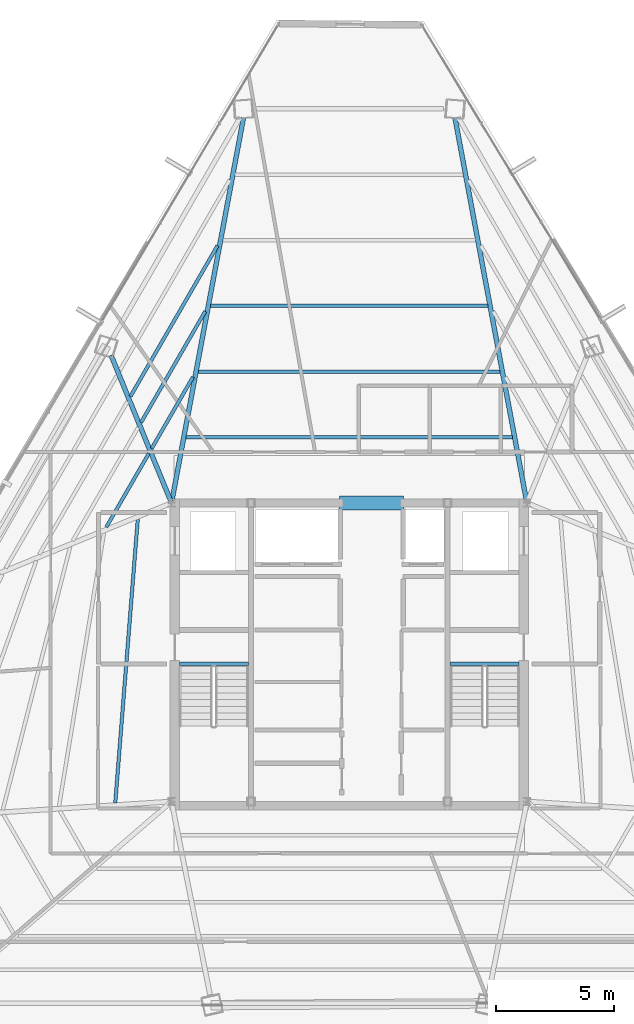
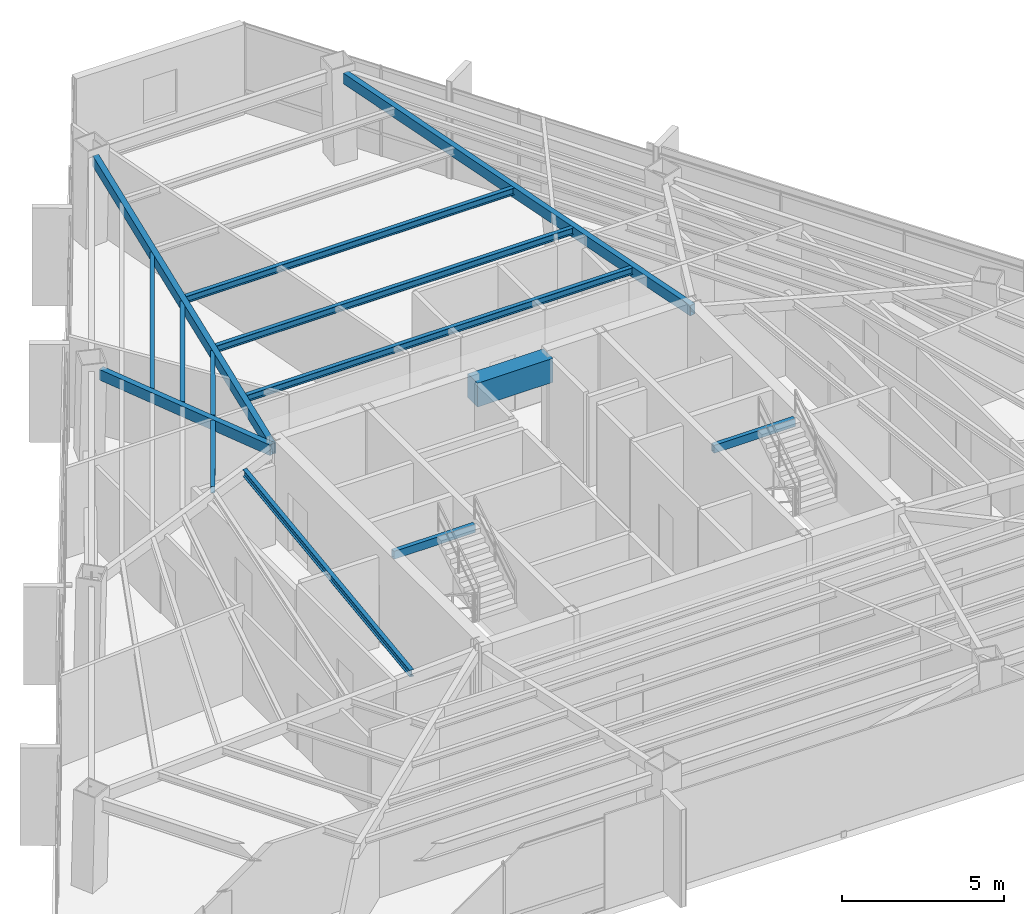
# One storey, part 21 of 47: 14 beams.
"""IFC4 building model written with IfcOpenShell, lengths in metres."""

from ifc_helpers import new_model, si_unit, direction, frame, origin, origin_2d, place, context, subcontext, project, spatial, rectangle, hollow_rectangle, i_section, extrude, source, transform, mapped, material, material_profile, profile_set, type_object, type_shapes, element, save


model = new_model("IFC4")

# Units and contexts
model_context = context("Model", 3, precision=1e-05, world=origin(), true_north=direction((0.0, 1.0)))
body_context = subcontext(model_context, "Body", "Model", "MODEL_VIEW")
ifc_project = project(units=[si_unit("LENGTHUNIT", "METRE"), si_unit("AREAUNIT", "SQUARE_METRE"), si_unit("VOLUMEUNIT", "CUBIC_METRE"), si_unit("PLANEANGLEUNIT", "RADIAN"), si_unit("MASSUNIT", "GRAM", prefix="KILO")], contexts=[model_context])

# Site, building, storey
site_placement = place(None, origin())
site = spatial("IfcSite", under=ifc_project, at=site_placement, CompositionType="ELEMENT")
building_placement = place(site_placement, origin())
building = spatial("IfcBuilding", under=site, at=building_placement, Name="Caelisora Broadcast Tower", CompositionType="ELEMENT")
storey_placement = place(building_placement, frame((0.0, 0.0, 229.85009765625)))
storey = spatial("IfcBuildingStorey", under=building, at=storey_placement, Name="L60", CompositionType="ELEMENT", Elevation=229.85009765625)

# Beams
ifc_material_1 = material(Name="Steel Grade 350 (AS/NZS 1163 C350L0)", Category="steel")
ifc_material_profile_1 = material_profile(ifc_material_1, hollow_rectangle(XDim=0.14990234375, YDim=0.300048828125, WallThickness=0.010009765625, at=origin_2d()), Name="Steel Grade 350 (AS/NZS 1163 C350L0)")
ifc_profile_set_1 = profile_set([ifc_material_profile_1], Name="Steel Grade 350 (AS/NZS 1163 C350L0)")
beam_type_1 = type_object("IfcBeamType", Name="SB05", PredefinedType="JOIST", material=ifc_profile_set_1)
shared_shape_1 = source(origin(), body_context, "Body", "SweptSolid", [
    extrude(hollow_rectangle(XDim=0.14990234375, YDim=0.300048828125, WallThickness=0.010009765625, at=origin_2d()), origin(), (0.0, 0.0, 1.0), 2.89990234375),
])
type_shapes(beam_type_1, [shared_shape_1])
for number, where, z_axis, x_axis, name in (
    (1, (30.840087890625, 23.219970703125, 3.25), (1.0, 0.0, 0.0), (0.0, 1.0, 0.0), "L60 beam SB05"),
    (2, (42.260009765625, 23.219970703125, 3.25), (1.0, 0.0, 0.0), (0.0, 1.0, 0.0), "L60 beam SB05"),
):
    element("IfcBeam", number, at=place(storey_placement, frame(where, z_axis=z_axis, x_axis=x_axis)), inside=storey, type_object=beam_type_1, Name=name, PredefinedType="JOIST", context=body_context, shape_type="MappedRepresentation", body=[
        mapped(shared_shape_1, transform((0.0, 0.0, 0.0), scale=1.0)),
    ])
ifc_material_2 = material(Name="Concrete 50 MPa (AS 3600 S50)", Category="concrete")
ifc_material_profile_2 = material_profile(ifc_material_2, rectangle(XDim=0.60009765625, YDim=0.89990234375, at=origin_2d()), Name="Concrete 50 MPa (AS 3600 S50)")
ifc_profile_set_2 = profile_set([ifc_material_profile_2], Name="Concrete 50 MPa (AS 3600 S50)")
beam_type_2 = type_object("IfcBeamType", Name="CB02", PredefinedType="LINTEL", material=ifc_profile_set_2)
shared_shape_2 = source(origin(), body_context, "Body", "SweptSolid", [
    extrude(rectangle(XDim=0.60009765625, YDim=0.89990234375, at=origin_2d()), origin(), (0.0, 0.0, 1.0), 2.699951171875),
])
type_shapes(beam_type_2, [shared_shape_2])
beam_1_placement = place(storey_placement, frame((37.60009765625, 30.0, 2.949951171875), z_axis=(1.0, 0.0, 0.0), x_axis=(0.0, 1.0, 0.0)))
element("IfcBeam", 3, at=beam_1_placement, inside=storey, type_object=beam_type_2, Name="L60 beam CB02", PredefinedType="LINTEL", context=body_context, shape_type="MappedRepresentation", body=[
    mapped(shared_shape_2, transform((0.0, 0.0, 0.0), scale=1.0)),
])
ifc_material_profile_3 = material_profile(ifc_material_1, hollow_rectangle(XDim=0.199951171875, YDim=0.39990234375, WallThickness=0.012451171875, at=origin_2d()), Name="Steel Grade 350 (AS/NZS 1163 C350L0)")
ifc_profile_set_3 = profile_set([ifc_material_profile_3], Name="Steel Grade 350 (AS/NZS 1163 C350L0)")
beam_type_3 = type_object("IfcBeamType", Name="PG07", PredefinedType="BEAM", material=ifc_profile_set_3)
shared_shape_3 = source(origin(), body_context, "Body", "SweptSolid", [
    extrude(hollow_rectangle(XDim=0.199951171875, YDim=0.39990234375, WallThickness=0.012451171875, at=origin_2d()), origin(), (0.0, 0.0, 1.0), 16.486083984375),
])
for number, where, z_axis, x_axis, name in (
    (4, (45.489013671875, 30.05908203125, 3.199951171875), (-0.183615218966, 0.982998194995, 0.0), (-0.982998194995, -0.183615218966, 0.0), "L60 beam PG07"),
    (5, (30.510986328125, 30.05908203125, 3.199951171875), (0.183615218966, 0.982998194995, 0.0), (-0.982998194995, 0.183615218966, 0.0), "L60 beam PG07"),
):
    element("IfcBeam", number, at=place(storey_placement, frame(where, z_axis=z_axis, x_axis=x_axis)), inside=storey, type_object=beam_type_3, Name=name, PredefinedType="BEAM", context=body_context, shape_type="MappedRepresentation", body=[
        mapped(shared_shape_3, transform((0.0, 0.0, 0.0), scale=1.0)),
    ])
shared_shape_4 = source(origin(), body_context, "Body", "SweptSolid", [
    extrude(hollow_rectangle(XDim=0.199951171875, YDim=0.39990234375, WallThickness=0.012451171875, at=origin_2d()), origin(), (0.0, 0.0, 1.0), 6.679443359375),
])
type_shapes(beam_type_3, [shared_shape_3, shared_shape_4])
beam_2_placement = place(storey_placement, frame((30.477294921875, 30.055419921875, 3.199951171875), z_axis=(-0.378739584532, 0.925503283143, 0.0), x_axis=(-0.925503283143, -0.378739584532, 0.0)))
element("IfcBeam", 6, at=beam_2_placement, inside=storey, type_object=beam_type_3, Name="L60 beam PG07", PredefinedType="BEAM", context=body_context, shape_type="MappedRepresentation", body=[
    mapped(shared_shape_4, transform((0.0, 0.0, 0.0), scale=1.0)),
])
ifc_material_3 = material(Name="Steel Grade 350 (AS/NZS 3679.1)", Category="steel")
ifc_material_profile_4 = material_profile(ifc_material_3, i_section(OverallWidth=0.14599609375, OverallDepth=0.256103515625, WebThickness=0.00634765625, FlangeThickness=0.010986328125, at=origin_2d()), Name="Steel Grade 350 (AS/NZS 3679.1)")
ifc_profile_set_4 = profile_set([ifc_material_profile_4], Name="Steel Grade 350 (AS/NZS 3679.1)")
beam_type_4 = type_object("IfcBeamType", Name="SB04", PredefinedType="JOIST", material=ifc_profile_set_4)
shared_shape_5 = source(origin(), body_context, "Body", "SweptSolid", [
    extrude(i_section(OverallWidth=0.14599609375, OverallDepth=0.256103515625, WebThickness=0.00634765625, FlangeThickness=0.010986328125, at=origin_2d()), origin(), (0.0, 0.0, 1.0), 13.76708984375),
])
beam_3_placement = place(storey_placement, frame((44.883544921875, 32.7724609375, 3.271728515625), z_axis=(-1.0, 0.0, 0.0), x_axis=(0.0, -1.0, 0.0)))
element("IfcBeam", 7, at=beam_3_placement, inside=storey, type_object=beam_type_4, Name="L60 beam SB04", PredefinedType="JOIST", context=body_context, shape_type="MappedRepresentation", body=[
    mapped(shared_shape_5, transform((0.0, 0.0, 0.0), scale=1.0)),
])
shared_shape_6 = source(origin(), body_context, "Body", "SweptSolid", [
    extrude(i_section(OverallWidth=0.14599609375, OverallDepth=0.256103515625, WebThickness=0.00634765625, FlangeThickness=0.010986328125, at=origin_2d()), origin(), (0.0, 0.0, 1.0), 12.73095703125),
])
beam_4_placement = place(storey_placement, frame((44.365478515625, 35.544921875, 3.271728515625), z_axis=(-1.0, 0.0, 0.0), x_axis=(0.0, -1.0, 0.0)))
element("IfcBeam", 8, at=beam_4_placement, inside=storey, type_object=beam_type_4, Name="L60 beam SB04", PredefinedType="JOIST", context=body_context, shape_type="MappedRepresentation", body=[
    mapped(shared_shape_6, transform((0.0, 0.0, 0.0), scale=1.0)),
])
shared_shape_7 = source(origin(), body_context, "Body", "SweptSolid", [
    extrude(i_section(OverallWidth=0.14599609375, OverallDepth=0.256103515625, WebThickness=0.00634765625, FlangeThickness=0.010986328125, at=origin_2d()), origin(), (0.0, 0.0, 1.0), 11.69580078125),
])
beam_5_placement = place(storey_placement, frame((43.847900390625, 38.317138671875, 3.271728515625), z_axis=(-1.0, 0.0, 0.0), x_axis=(0.0, -1.0, 0.0)))
element("IfcBeam", 9, at=beam_5_placement, inside=storey, type_object=beam_type_4, Name="L60 beam SB04", PredefinedType="JOIST", context=body_context, shape_type="MappedRepresentation", body=[
    mapped(shared_shape_7, transform((0.0, 0.0, 0.0), scale=1.0)),
])
shared_shape_8 = source(origin(), body_context, "Body", "SweptSolid", [
    extrude(i_section(OverallWidth=0.14599609375, OverallDepth=0.256103515625, WebThickness=0.00634765625, FlangeThickness=0.010986328125, at=origin_2d()), origin(), (0.0, 0.0, 1.0), 3.484375),
])
beam_6_placement = place(storey_placement, frame((31.405517578125, 35.319580078125, 3.271728515625), z_axis=(-0.499944854726, -0.866057239582, 0.0), x_axis=(0.866057239582, -0.499944854726, 0.0)))
element("IfcBeam", 10, at=beam_6_placement, inside=storey, type_object=beam_type_4, Name="L60 beam SB04", PredefinedType="JOIST", context=body_context, shape_type="MappedRepresentation", body=[
    mapped(shared_shape_8, transform((0.0, 0.0, 0.0), scale=1.0)),
])
shared_shape_9 = source(origin(), body_context, "Body", "SweptSolid", [
    extrude(i_section(OverallWidth=0.14599609375, OverallDepth=0.256103515625, WebThickness=0.00634765625, FlangeThickness=0.010986328125, at=origin_2d()), origin(), (0.0, 0.0, 1.0), 5.41796875),
])
beam_7_placement = place(storey_placement, frame((31.92333984375, 38.091796875, 3.271728515625), z_axis=(-0.499996795364, -0.866027253974, 0.0), x_axis=(0.866027253974, -0.499996795364, 0.0)))
element("IfcBeam", 11, at=beam_7_placement, inside=storey, type_object=beam_type_4, Name="L60 beam SB04", PredefinedType="JOIST", context=body_context, shape_type="MappedRepresentation", body=[
    mapped(shared_shape_9, transform((0.0, 0.0, 0.0), scale=1.0)),
])
shared_shape_10 = source(origin(), body_context, "Body", "SweptSolid", [
    extrude(i_section(OverallWidth=0.14599609375, OverallDepth=0.256103515625, WebThickness=0.00634765625, FlangeThickness=0.010986328125, at=origin_2d()), origin(), (0.0, 0.0, 1.0), 7.35205078125),
])
beam_8_placement = place(storey_placement, frame((32.441162109375, 40.8642578125, 3.271728515625), z_axis=(-0.500007031608, -0.866021344046, 0.0), x_axis=(0.866021344046, -0.500007031608, 0.0)))
element("IfcBeam", 12, at=beam_8_placement, inside=storey, type_object=beam_type_4, Name="L60 beam SB04", PredefinedType="JOIST", context=body_context, shape_type="MappedRepresentation", body=[
    mapped(shared_shape_10, transform((0.0, 0.0, 0.0), scale=1.0)),
])
shared_shape_11 = source(origin(), body_context, "Body", "SweptSolid", [
    extrude(i_section(OverallWidth=0.14599609375, OverallDepth=0.256103515625, WebThickness=0.00634765625, FlangeThickness=0.010986328125, at=origin_2d()), origin(), (0.0, 0.0, 1.0), 3.584228515625),
])
beam_9_placement = place(storey_placement, frame((29.5400390625, 32.088134765625, 3.271728515625), z_axis=(-0.500029051137, -0.866008630453, 0.0), x_axis=(0.866008630453, -0.500029051137, 0.0)))
element("IfcBeam", 13, at=beam_9_placement, inside=storey, type_object=beam_type_4, Name="L60 beam SB04", PredefinedType="JOIST", context=body_context, shape_type="MappedRepresentation", body=[
    mapped(shared_shape_11, transform((0.0, 0.0, 0.0), scale=1.0)),
])
shared_shape_12 = source(origin(), body_context, "Body", "SweptSolid", [
    extrude(i_section(OverallWidth=0.14599609375, OverallDepth=0.256103515625, WebThickness=0.00634765625, FlangeThickness=0.010986328125, at=origin_2d()), origin(), (0.0, 0.0, 1.0), 12.006103515625),
])
type_shapes(beam_type_4, [shared_shape_5, shared_shape_6, shared_shape_7, shared_shape_8, shared_shape_9, shared_shape_10, shared_shape_11, shared_shape_12])
beam_10_placement = place(storey_placement, frame((29.0751953125, 29.314208984375, 3.271728515625), z_axis=(-0.079162489005, -0.996861725785, 0.0), x_axis=(0.996861725785, -0.079162489005, 0.0)))
element("IfcBeam", 14, at=beam_10_placement, inside=storey, type_object=beam_type_4, Name="L60 beam SB04", PredefinedType="JOIST", context=body_context, shape_type="MappedRepresentation", body=[
    mapped(shared_shape_12, transform((0.0, 0.0, 0.0), scale=1.0)),
])

save(model, "model.ifc")
